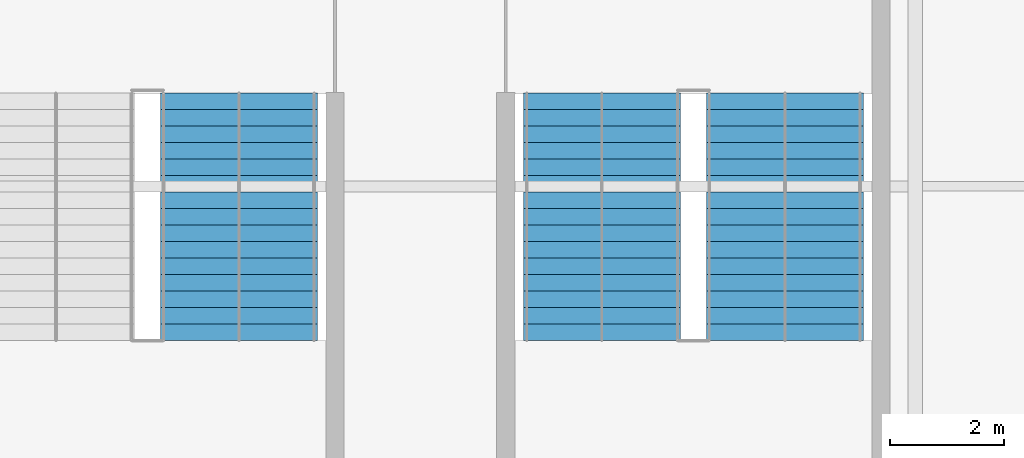
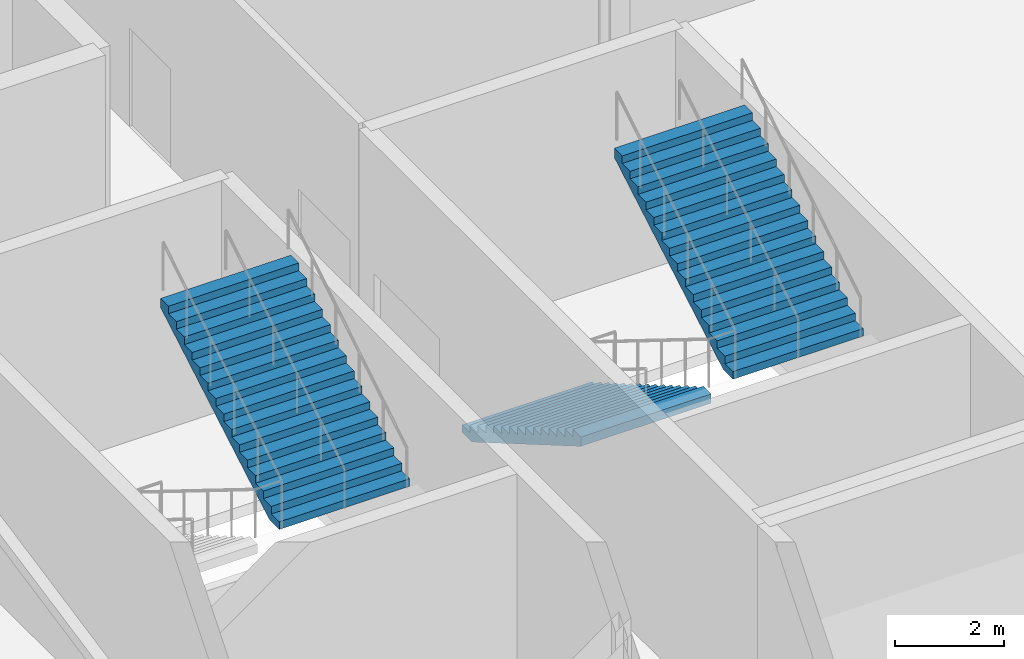
# One storey, part 85 of 113: 3 stair flights, 2 elements without a shape of their own.
"""IFC4 building model written with IfcOpenShell, lengths in metres."""

from ifc_helpers import new_model, si_unit, direction, frame, origin, place, context, subcontext, project, spatial, polygons, material, type_object, element, aggregate, save


model = new_model("IFC4")

# Units and contexts
model_context = context("Model", 3, precision=1e-05, world=origin(), true_north=direction((0.0, 1.0)))
body_context = subcontext(model_context, "Body", "Model", "MODEL_VIEW")
ifc_project = project(units=[si_unit("LENGTHUNIT", "METRE"), si_unit("AREAUNIT", "SQUARE_METRE"), si_unit("VOLUMEUNIT", "CUBIC_METRE"), si_unit("PLANEANGLEUNIT", "RADIAN"), si_unit("MASSUNIT", "GRAM", prefix="KILO")], contexts=[model_context])

# Site, building, storey
site_placement = place(None, origin())
site = spatial("IfcSite", under=ifc_project, at=site_placement, CompositionType="ELEMENT")
building_placement = place(site_placement, origin())
building = spatial("IfcBuilding", under=site, at=building_placement, Name="Kisiwana Market Hall", CompositionType="ELEMENT")
storey_placement = place(building_placement, frame((0.0, 0.0, 6.0)))
storey = spatial("IfcBuildingStorey", under=building, at=storey_placement, Name="L01", CompositionType="ELEMENT", Elevation=6.0)

# Stair, stair flight
ifc_material_1 = material(Name="Concrete C32/40", Category="concrete")
stair_type = type_object("IfcStairType", Name="ST-ESC-5400", PredefinedType="TWO_STRAIGHT_RUN_STAIR", material=ifc_material_1)
stair_1_placement = place(storey_placement, origin())
stair_1 = element("IfcStair", 1, at=stair_1_placement, inside=storey, type_object=stair_type, Name="Escape stair ST-W4-L01", PredefinedType="TWO_STRAIGHT_RUN_STAIR")
ifc_material_2 = material(Name="Concrete C32/40", Category="concrete")
stair_flight_type = type_object("IfcStairFlightType", Name="SF-ESC-5400", PredefinedType="STRAIGHT", material=ifc_material_2)
stair_flight_1_placement = place(storey_placement, frame((15.110107421875, 73.2900390625, 2.699951171875), z_axis=(0.0, 0.0, 1.0), x_axis=(0.0, 1.0, 0.0)))
stair_flight_1 = element("IfcStairFlight", 2, at=stair_flight_1_placement, type_object=stair_flight_type, Name="ST-W4-L01 flight 2", NumberOfRisers=16, NumberOfTreads=15, PredefinedType="STRAIGHT", RiserHeight=0.16875, TreadLength=0.29, context=body_context, shape_type="Tessellation", body=[
    polygons([(0.0, -1.380127, 0.0), (0.0, -0.690125, 0.0), (0.0, -0.000122, 0.0), (0.0, 0.68988, 0.0), (0.0, 1.379883, 0.0), (0.0, -1.380127, 0.168701), (0.0, -0.690125, 0.168701), (0.0, -0.000122, 0.168701), (0.0, 0.68988, 0.168701), (0.0, 1.379883, 0.168701), (0.290039, -1.380127, 0.168701), (0.290039, -0.690125, 0.168701), (0.290039, -0.000122, 0.168701), (0.290039, 0.68988, 0.168701), (0.290039, 1.379883, 0.168701), (0.290039, -1.380127, 0.337402), (0.290039, -0.690125, 0.337402), (0.290039, -0.000122, 0.337402), (0.290039, 0.68988, 0.337402), (0.290039, 1.379883, 0.337402), (0.580078, -1.380127, 0.337402), (0.580078, -0.690125, 0.337402), (0.580078, -0.000122, 0.337402), (0.580078, 0.68988, 0.337402), (0.580078, 1.379883, 0.337402), (0.580078, -1.380127, 0.506348), (0.580078, -0.690125, 0.506348), (0.580078, -0.000122, 0.506348), (0.580078, 0.68988, 0.506348), (0.580078, 1.379883, 0.506348), (0.870117, -1.380127, 0.506348), (0.870117, -0.690125, 0.506348), (0.870117, -0.000122, 0.506348), (0.870117, 0.68988, 0.506348), (0.870117, 1.379883, 0.506348), (0.870117, -1.380127, 0.675049), (0.870117, -0.690125, 0.675049), (0.870117, -0.000122, 0.675049), (0.870117, 0.68988, 0.675049), (0.870117, 1.379883, 0.675049), (1.159912, -1.380127, 0.675049), (1.159912, -0.690125, 0.675049), (1.159912, -0.000122, 0.675049), (1.159912, 0.68988, 0.675049), (1.159912, 1.379883, 0.675049), (1.159912, -1.380127, 0.84375), (1.159912, -0.690125, 0.84375), (1.159912, -0.000122, 0.84375), (1.159912, 0.68988, 0.84375), (1.159912, 1.379883, 0.84375), (1.449951, -1.380127, 0.84375), (1.449951, -0.690125, 0.84375), (1.449951, -0.000122, 0.84375), (1.449951, 0.68988, 0.84375), (1.449951, 1.379883, 0.84375), (1.449951, -1.380127, 1.012451), (1.449951, -0.690125, 1.012451), (1.449951, -0.000122, 1.012451), (1.449951, 0.68988, 1.012451), (1.449951, 1.379883, 1.012451), (1.73999, -1.380127, 1.012451), (1.73999, -0.690125, 1.012451), (1.73999, -0.000122, 1.012451), (1.73999, 0.68988, 1.012451), (1.73999, 1.379883, 1.012451), (1.73999, -1.380127, 1.181152), (1.73999, -0.690125, 1.181152), (1.73999, -0.000122, 1.181152), (1.73999, 0.68988, 1.181152), (1.73999, 1.379883, 1.181152), (2.030029, -1.380127, 1.181152), (2.030029, -0.690125, 1.181152), (2.030029, -0.000122, 1.181152), (2.030029, 0.68988, 1.181152), (2.030029, 1.379883, 1.181152), (2.030029, -1.380127, 1.350098), (2.030029, -0.690125, 1.350098), (2.030029, -0.000122, 1.350098), (2.030029, 0.68988, 1.350098), (2.030029, 1.379883, 1.350098), (2.320068, -1.380127, 1.350098), (2.320068, -0.690125, 1.350098), (2.320068, -0.000122, 1.350098), (2.320068, 0.68988, 1.350098), (2.320068, 1.379883, 1.350098), (2.320068, -1.380127, 1.518799), (2.320068, -0.690125, 1.518799), (2.320068, -0.000122, 1.518799), (2.320068, 0.68988, 1.518799), (2.320068, 1.379883, 1.518799), (2.610107, -1.380127, 1.518799), (2.610107, -0.690125, 1.518799), (2.610107, -0.000122, 1.518799), (2.610107, 0.68988, 1.518799), (2.610107, 1.379883, 1.518799), (2.610107, -1.380127, 1.6875), (2.610107, -0.690125, 1.6875), (2.610107, -0.000122, 1.6875), (2.610107, 0.68988, 1.6875), (2.610107, 1.379883, 1.6875), (2.899902, -1.380127, 1.6875), (2.899902, -0.690125, 1.6875), (2.899902, -0.000122, 1.6875), (2.899902, 0.68988, 1.6875), (2.899902, 1.379883, 1.6875), (2.899902, -1.380127, 1.856201), (2.899902, -0.690125, 1.856201), (2.899902, -0.000122, 1.856201), (2.899902, 0.68988, 1.856201), (2.899902, 1.379883, 1.856201), (3.189941, -1.380127, 1.856201), (3.189941, -0.690125, 1.856201), (3.189941, -0.000122, 1.856201), (3.189941, 0.68988, 1.856201), (3.189941, 1.379883, 1.856201), (3.189941, -1.380127, 2.024902), (3.189941, -0.690125, 2.024902), (3.189941, -0.000122, 2.024902), (3.189941, 0.68988, 2.024902), (3.189941, 1.379883, 2.024902), (3.47998, -1.380127, 2.024902), (3.47998, -0.690125, 2.024902), (3.47998, -0.000122, 2.024902), (3.47998, 0.68988, 2.024902), (3.47998, 1.379883, 2.024902), (3.47998, -1.380127, 2.193848), (3.47998, -0.690125, 2.193848), (3.47998, -0.000122, 2.193848), (3.47998, 0.68988, 2.193848), (3.47998, 1.379883, 2.193848), (3.77002, -1.380127, 2.193848), (3.77002, -0.690125, 2.193848), (3.77002, -0.000122, 2.193848), (3.77002, 0.68988, 2.193848), (3.77002, 1.379883, 2.193848), (3.77002, -1.380127, 2.362549), (3.77002, -0.690125, 2.362549), (3.77002, -0.000122, 2.362549), (3.77002, 0.68988, 2.362549), (3.77002, 1.379883, 2.362549), (4.060059, -1.380127, 2.362549), (4.060059, -0.690125, 2.362549), (4.060059, -0.000122, 2.362549), (4.060059, 0.68988, 2.362549), (4.060059, 1.379883, 2.362549), (4.060059, -1.380127, 2.53125), (4.060059, -0.690125, 2.53125), (4.060059, -0.000122, 2.53125), (4.060059, 0.68988, 2.53125), (4.060059, 1.379883, 2.53125), (4.350098, -1.380127, 2.53125), (4.350098, -0.690125, 2.53125), (4.350098, -0.000122, 2.53125), (4.350098, 0.68988, 2.53125), (4.350098, 1.379883, 2.53125), (4.350098, -1.380127, 2.322998), (4.350098, -0.690125, 2.322998), (4.350098, -0.000122, 2.322998), (4.350098, 0.68988, 2.322998), (4.350098, 1.379883, 2.322998), (0.357666, -1.380127, 0.0), (0.357666, -0.690125, 0.0), (0.357666, -0.000122, 0.0), (0.357666, 0.68988, 0.0), (0.357666, 1.379883, 0.0)], [[[1, 6, 7, 2]], [[2, 7, 8, 3]], [[3, 8, 9, 4]], [[4, 9, 10, 5]], [[6, 11, 12, 7]], [[7, 12, 13, 8]], [[8, 13, 14, 9]], [[9, 14, 15, 10]], [[11, 16, 17, 12]], [[12, 17, 18, 13]], [[13, 18, 19, 14]], [[14, 19, 20, 15]], [[16, 21, 22, 17]], [[17, 22, 23, 18]], [[18, 23, 24, 19]], [[19, 24, 25, 20]], [[21, 26, 27, 22]], [[22, 27, 28, 23]], [[23, 28, 29, 24]], [[24, 29, 30, 25]], [[26, 31, 32, 27]], [[27, 32, 33, 28]], [[28, 33, 34, 29]], [[29, 34, 35, 30]], [[31, 36, 37, 32]], [[32, 37, 38, 33]], [[33, 38, 39, 34]], [[34, 39, 40, 35]], [[36, 41, 42, 37]], [[37, 42, 43, 38]], [[38, 43, 44, 39]], [[39, 44, 45, 40]], [[41, 46, 47, 42]], [[42, 47, 48, 43]], [[43, 48, 49, 44]], [[44, 49, 50, 45]], [[46, 51, 52, 47]], [[47, 52, 53, 48]], [[48, 53, 54, 49]], [[49, 54, 55, 50]], [[51, 56, 57, 52]], [[52, 57, 58, 53]], [[53, 58, 59, 54]], [[54, 59, 60, 55]], [[56, 61, 62, 57]], [[57, 62, 63, 58]], [[58, 63, 64, 59]], [[59, 64, 65, 60]], [[61, 66, 67, 62]], [[62, 67, 68, 63]], [[63, 68, 69, 64]], [[64, 69, 70, 65]], [[66, 71, 72, 67]], [[67, 72, 73, 68]], [[68, 73, 74, 69]], [[69, 74, 75, 70]], [[71, 76, 77, 72]], [[72, 77, 78, 73]], [[73, 78, 79, 74]], [[74, 79, 80, 75]], [[76, 81, 82, 77]], [[77, 82, 83, 78]], [[78, 83, 84, 79]], [[79, 84, 85, 80]], [[81, 86, 87, 82]], [[82, 87, 88, 83]], [[83, 88, 89, 84]], [[84, 89, 90, 85]], [[86, 91, 92, 87]], [[87, 92, 93, 88]], [[88, 93, 94, 89]], [[89, 94, 95, 90]], [[91, 96, 97, 92]], [[92, 97, 98, 93]], [[93, 98, 99, 94]], [[94, 99, 100, 95]], [[96, 101, 102, 97]], [[97, 102, 103, 98]], [[98, 103, 104, 99]], [[99, 104, 105, 100]], [[101, 106, 107, 102]], [[102, 107, 108, 103]], [[103, 108, 109, 104]], [[104, 109, 110, 105]], [[106, 111, 112, 107]], [[107, 112, 113, 108]], [[108, 113, 114, 109]], [[109, 114, 115, 110]], [[111, 116, 117, 112]], [[112, 117, 118, 113]], [[113, 118, 119, 114]], [[114, 119, 120, 115]], [[116, 121, 122, 117]], [[117, 122, 123, 118]], [[118, 123, 124, 119]], [[119, 124, 125, 120]], [[121, 126, 127, 122]], [[122, 127, 128, 123]], [[123, 128, 129, 124]], [[124, 129, 130, 125]], [[126, 131, 132, 127]], [[127, 132, 133, 128]], [[128, 133, 134, 129]], [[129, 134, 135, 130]], [[131, 136, 137, 132]], [[132, 137, 138, 133]], [[133, 138, 139, 134]], [[134, 139, 140, 135]], [[136, 141, 142, 137]], [[137, 142, 143, 138]], [[138, 143, 144, 139]], [[139, 144, 145, 140]], [[141, 146, 147, 142]], [[142, 147, 148, 143]], [[143, 148, 149, 144]], [[144, 149, 150, 145]], [[146, 151, 152, 147]], [[147, 152, 153, 148]], [[148, 153, 154, 149]], [[149, 154, 155, 150]], [[151, 156, 157, 152]], [[152, 157, 158, 153]], [[153, 158, 159, 154]], [[154, 159, 160, 155]], [[156, 161, 162, 157]], [[157, 162, 163, 158]], [[158, 163, 164, 159]], [[159, 164, 165, 160]], [[161, 1, 2, 162]], [[162, 2, 3, 163]], [[163, 3, 4, 164]], [[164, 4, 5, 165]], [[161, 156, 151, 146, 141, 136, 131, 126, 121, 116, 111, 106, 101, 96, 91, 86, 81, 76, 71, 66, 61, 56, 51, 46, 41, 36, 31, 26, 21, 16, 11, 6, 1]], [[5, 10, 15, 20, 25, 30, 35, 40, 45, 50, 55, 60, 65, 70, 75, 80, 85, 90, 95, 100, 105, 110, 115, 120, 125, 130, 135, 140, 145, 150, 155, 160, 165]]], closed=True),
])
aggregate(stair_1, [stair_flight_1])

# Stair, stair flights
stair_2_placement = place(storey_placement, origin())
stair_2 = element("IfcStair", 3, at=stair_2_placement, inside=storey, type_object=stair_type, Name="Escape stair ST-W8-L01", PredefinedType="TWO_STRAIGHT_RUN_STAIR")
stair_flight_2_placement = place(storey_placement, frame((21.489990234375, 77.639892578125, 0.0), z_axis=(0.0, 0.0, 1.0), x_axis=(0.0, -1.0, 0.0)))
stair_flight_2 = element("IfcStairFlight", 4, at=stair_flight_2_placement, type_object=stair_flight_type, Name="ST-W8-L01 flight 1", NumberOfRisers=16, NumberOfTreads=15, PredefinedType="STRAIGHT", RiserHeight=0.16875, TreadLength=0.29, context=body_context, shape_type="Tessellation", body=[
    polygons([(0.0, -1.380127, 0.0), (0.0, -0.690125, 0.0), (0.0, -0.000122, 0.0), (0.0, 0.68988, 0.0), (0.0, 1.379883, 0.0), (0.0, -1.380127, 0.168701), (0.0, -0.690125, 0.168701), (0.0, -0.000122, 0.168701), (0.0, 0.68988, 0.168701), (0.0, 1.379883, 0.168701), (0.290039, -1.380127, 0.168701), (0.290039, -0.690125, 0.168701), (0.290039, -0.000122, 0.168701), (0.290039, 0.68988, 0.168701), (0.290039, 1.379883, 0.168701), (0.290039, -1.380127, 0.337402), (0.290039, -0.690125, 0.337402), (0.290039, -0.000122, 0.337402), (0.290039, 0.68988, 0.337402), (0.290039, 1.379883, 0.337402), (0.580078, -1.380127, 0.337402), (0.580078, -0.690125, 0.337402), (0.580078, -0.000122, 0.337402), (0.580078, 0.68988, 0.337402), (0.580078, 1.379883, 0.337402), (0.580078, -1.380127, 0.506348), (0.580078, -0.690125, 0.506348), (0.580078, -0.000122, 0.506348), (0.580078, 0.68988, 0.506348), (0.580078, 1.379883, 0.506348), (0.870117, -1.380127, 0.506348), (0.870117, -0.690125, 0.506348), (0.870117, -0.000122, 0.506348), (0.870117, 0.68988, 0.506348), (0.870117, 1.379883, 0.506348), (0.870117, -1.380127, 0.675049), (0.870117, -0.690125, 0.675049), (0.870117, -0.000122, 0.675049), (0.870117, 0.68988, 0.675049), (0.870117, 1.379883, 0.675049), (1.159912, -1.380127, 0.675049), (1.159912, -0.690125, 0.675049), (1.159912, -0.000122, 0.675049), (1.159912, 0.68988, 0.675049), (1.159912, 1.379883, 0.675049), (1.159912, -1.380127, 0.84375), (1.159912, -0.690125, 0.84375), (1.159912, -0.000122, 0.84375), (1.159912, 0.68988, 0.84375), (1.159912, 1.379883, 0.84375), (1.449951, -1.380127, 0.84375), (1.449951, -0.690125, 0.84375), (1.449951, -0.000122, 0.84375), (1.449951, 0.68988, 0.84375), (1.449951, 1.379883, 0.84375), (1.449951, -1.380127, 1.012451), (1.449951, -0.690125, 1.012451), (1.449951, -0.000122, 1.012451), (1.449951, 0.68988, 1.012451), (1.449951, 1.379883, 1.012451), (1.73999, -1.380127, 1.012451), (1.73999, -0.690125, 1.012451), (1.73999, -0.000122, 1.012451), (1.73999, 0.68988, 1.012451), (1.73999, 1.379883, 1.012451), (1.73999, -1.380127, 1.181152), (1.73999, -0.690125, 1.181152), (1.73999, -0.000122, 1.181152), (1.73999, 0.68988, 1.181152), (1.73999, 1.379883, 1.181152), (2.030029, -1.380127, 1.181152), (2.030029, -0.690125, 1.181152), (2.030029, -0.000122, 1.181152), (2.030029, 0.68988, 1.181152), (2.030029, 1.379883, 1.181152), (2.030029, -1.380127, 1.350098), (2.030029, -0.690125, 1.350098), (2.030029, -0.000122, 1.350098), (2.030029, 0.68988, 1.350098), (2.030029, 1.379883, 1.350098), (2.320068, -1.380127, 1.350098), (2.320068, -0.690125, 1.350098), (2.320068, -0.000122, 1.350098), (2.320068, 0.68988, 1.350098), (2.320068, 1.379883, 1.350098), (2.320068, -1.380127, 1.518799), (2.320068, -0.690125, 1.518799), (2.320068, -0.000122, 1.518799), (2.320068, 0.68988, 1.518799), (2.320068, 1.379883, 1.518799), (2.610107, -1.380127, 1.518799), (2.610107, -0.690125, 1.518799), (2.610107, -0.000122, 1.518799), (2.610107, 0.68988, 1.518799), (2.610107, 1.379883, 1.518799), (2.610107, -1.380127, 1.6875), (2.610107, -0.690125, 1.6875), (2.610107, -0.000122, 1.6875), (2.610107, 0.68988, 1.6875), (2.610107, 1.379883, 1.6875), (2.899902, -1.380127, 1.6875), (2.899902, -0.690125, 1.6875), (2.899902, -0.000122, 1.6875), (2.899902, 0.68988, 1.6875), (2.899902, 1.379883, 1.6875), (2.899902, -1.380127, 1.856201), (2.899902, -0.690125, 1.856201), (2.899902, -0.000122, 1.856201), (2.899902, 0.68988, 1.856201), (2.899902, 1.379883, 1.856201), (3.189941, -1.380127, 1.856201), (3.189941, -0.690125, 1.856201), (3.189941, -0.000122, 1.856201), (3.189941, 0.68988, 1.856201), (3.189941, 1.379883, 1.856201), (3.189941, -1.380127, 2.024902), (3.189941, -0.690125, 2.024902), (3.189941, -0.000122, 2.024902), (3.189941, 0.68988, 2.024902), (3.189941, 1.379883, 2.024902), (3.47998, -1.380127, 2.024902), (3.47998, -0.690125, 2.024902), (3.47998, -0.000122, 2.024902), (3.47998, 0.68988, 2.024902), (3.47998, 1.379883, 2.024902), (3.47998, -1.380127, 2.193848), (3.47998, -0.690125, 2.193848), (3.47998, -0.000122, 2.193848), (3.47998, 0.68988, 2.193848), (3.47998, 1.379883, 2.193848), (3.77002, -1.380127, 2.193848), (3.77002, -0.690125, 2.193848), (3.77002, -0.000122, 2.193848), (3.77002, 0.68988, 2.193848), (3.77002, 1.379883, 2.193848), (3.77002, -1.380127, 2.362549), (3.77002, -0.690125, 2.362549), (3.77002, -0.000122, 2.362549), (3.77002, 0.68988, 2.362549), (3.77002, 1.379883, 2.362549), (4.060059, -1.380127, 2.362549), (4.060059, -0.690125, 2.362549), (4.060059, -0.000122, 2.362549), (4.060059, 0.68988, 2.362549), (4.060059, 1.379883, 2.362549), (4.060059, -1.380127, 2.53125), (4.060059, -0.690125, 2.53125), (4.060059, -0.000122, 2.53125), (4.060059, 0.68988, 2.53125), (4.060059, 1.379883, 2.53125), (4.350098, -1.380127, 2.53125), (4.350098, -0.690125, 2.53125), (4.350098, -0.000122, 2.53125), (4.350098, 0.68988, 2.53125), (4.350098, 1.379883, 2.53125), (4.350098, -1.380127, 2.322998), (4.350098, -0.690125, 2.322998), (4.350098, -0.000122, 2.322998), (4.350098, 0.68988, 2.322998), (4.350098, 1.379883, 2.322998), (0.357666, -1.380127, 0.0), (0.357666, -0.690125, 0.0), (0.357666, -0.000122, 0.0), (0.357666, 0.68988, 0.0), (0.357666, 1.379883, 0.0)], [[[1, 6, 7, 2]], [[2, 7, 8, 3]], [[3, 8, 9, 4]], [[4, 9, 10, 5]], [[6, 11, 12, 7]], [[7, 12, 13, 8]], [[8, 13, 14, 9]], [[9, 14, 15, 10]], [[11, 16, 17, 12]], [[12, 17, 18, 13]], [[13, 18, 19, 14]], [[14, 19, 20, 15]], [[16, 21, 22, 17]], [[17, 22, 23, 18]], [[18, 23, 24, 19]], [[19, 24, 25, 20]], [[21, 26, 27, 22]], [[22, 27, 28, 23]], [[23, 28, 29, 24]], [[24, 29, 30, 25]], [[26, 31, 32, 27]], [[27, 32, 33, 28]], [[28, 33, 34, 29]], [[29, 34, 35, 30]], [[31, 36, 37, 32]], [[32, 37, 38, 33]], [[33, 38, 39, 34]], [[34, 39, 40, 35]], [[36, 41, 42, 37]], [[37, 42, 43, 38]], [[38, 43, 44, 39]], [[39, 44, 45, 40]], [[41, 46, 47, 42]], [[42, 47, 48, 43]], [[43, 48, 49, 44]], [[44, 49, 50, 45]], [[46, 51, 52, 47]], [[47, 52, 53, 48]], [[48, 53, 54, 49]], [[49, 54, 55, 50]], [[51, 56, 57, 52]], [[52, 57, 58, 53]], [[53, 58, 59, 54]], [[54, 59, 60, 55]], [[56, 61, 62, 57]], [[57, 62, 63, 58]], [[58, 63, 64, 59]], [[59, 64, 65, 60]], [[61, 66, 67, 62]], [[62, 67, 68, 63]], [[63, 68, 69, 64]], [[64, 69, 70, 65]], [[66, 71, 72, 67]], [[67, 72, 73, 68]], [[68, 73, 74, 69]], [[69, 74, 75, 70]], [[71, 76, 77, 72]], [[72, 77, 78, 73]], [[73, 78, 79, 74]], [[74, 79, 80, 75]], [[76, 81, 82, 77]], [[77, 82, 83, 78]], [[78, 83, 84, 79]], [[79, 84, 85, 80]], [[81, 86, 87, 82]], [[82, 87, 88, 83]], [[83, 88, 89, 84]], [[84, 89, 90, 85]], [[86, 91, 92, 87]], [[87, 92, 93, 88]], [[88, 93, 94, 89]], [[89, 94, 95, 90]], [[91, 96, 97, 92]], [[92, 97, 98, 93]], [[93, 98, 99, 94]], [[94, 99, 100, 95]], [[96, 101, 102, 97]], [[97, 102, 103, 98]], [[98, 103, 104, 99]], [[99, 104, 105, 100]], [[101, 106, 107, 102]], [[102, 107, 108, 103]], [[103, 108, 109, 104]], [[104, 109, 110, 105]], [[106, 111, 112, 107]], [[107, 112, 113, 108]], [[108, 113, 114, 109]], [[109, 114, 115, 110]], [[111, 116, 117, 112]], [[112, 117, 118, 113]], [[113, 118, 119, 114]], [[114, 119, 120, 115]], [[116, 121, 122, 117]], [[117, 122, 123, 118]], [[118, 123, 124, 119]], [[119, 124, 125, 120]], [[121, 126, 127, 122]], [[122, 127, 128, 123]], [[123, 128, 129, 124]], [[124, 129, 130, 125]], [[126, 131, 132, 127]], [[127, 132, 133, 128]], [[128, 133, 134, 129]], [[129, 134, 135, 130]], [[131, 136, 137, 132]], [[132, 137, 138, 133]], [[133, 138, 139, 134]], [[134, 139, 140, 135]], [[136, 141, 142, 137]], [[137, 142, 143, 138]], [[138, 143, 144, 139]], [[139, 144, 145, 140]], [[141, 146, 147, 142]], [[142, 147, 148, 143]], [[143, 148, 149, 144]], [[144, 149, 150, 145]], [[146, 151, 152, 147]], [[147, 152, 153, 148]], [[148, 153, 154, 149]], [[149, 154, 155, 150]], [[151, 156, 157, 152]], [[152, 157, 158, 153]], [[153, 158, 159, 154]], [[154, 159, 160, 155]], [[156, 161, 162, 157]], [[157, 162, 163, 158]], [[158, 163, 164, 159]], [[159, 164, 165, 160]], [[161, 1, 2, 162]], [[162, 2, 3, 163]], [[163, 3, 4, 164]], [[164, 4, 5, 165]], [[161, 156, 151, 146, 141, 136, 131, 126, 121, 116, 111, 106, 101, 96, 91, 86, 81, 76, 71, 66, 61, 56, 51, 46, 41, 36, 31, 26, 21, 16, 11, 6, 1]], [[5, 10, 15, 20, 25, 30, 35, 40, 45, 50, 55, 60, 65, 70, 75, 80, 85, 90, 95, 100, 105, 110, 115, 120, 125, 130, 135, 140, 145, 150, 155, 160, 165]]], closed=True),
])
stair_flight_3_placement = place(storey_placement, frame((24.7099609375, 73.2900390625, 2.699951171875), z_axis=(0.0, 0.0, 1.0), x_axis=(0.0, 1.0, 0.0)))
stair_flight_3 = element("IfcStairFlight", 5, at=stair_flight_3_placement, type_object=stair_flight_type, Name="ST-W8-L01 flight 2", NumberOfRisers=16, NumberOfTreads=15, PredefinedType="STRAIGHT", RiserHeight=0.16875, TreadLength=0.29, context=body_context, shape_type="Tessellation", body=[
    polygons([(0.0, -1.380127, 0.0), (0.0, -0.690125, 0.0), (0.0, -0.000122, 0.0), (0.0, 0.68988, 0.0), (0.0, 1.379883, 0.0), (0.0, -1.380127, 0.168701), (0.0, -0.690125, 0.168701), (0.0, -0.000122, 0.168701), (0.0, 0.68988, 0.168701), (0.0, 1.379883, 0.168701), (0.290039, -1.380127, 0.168701), (0.290039, -0.690125, 0.168701), (0.290039, -0.000122, 0.168701), (0.290039, 0.68988, 0.168701), (0.290039, 1.379883, 0.168701), (0.290039, -1.380127, 0.337402), (0.290039, -0.690125, 0.337402), (0.290039, -0.000122, 0.337402), (0.290039, 0.68988, 0.337402), (0.290039, 1.379883, 0.337402), (0.580078, -1.380127, 0.337402), (0.580078, -0.690125, 0.337402), (0.580078, -0.000122, 0.337402), (0.580078, 0.68988, 0.337402), (0.580078, 1.379883, 0.337402), (0.580078, -1.380127, 0.506348), (0.580078, -0.690125, 0.506348), (0.580078, -0.000122, 0.506348), (0.580078, 0.68988, 0.506348), (0.580078, 1.379883, 0.506348), (0.870117, -1.380127, 0.506348), (0.870117, -0.690125, 0.506348), (0.870117, -0.000122, 0.506348), (0.870117, 0.68988, 0.506348), (0.870117, 1.379883, 0.506348), (0.870117, -1.380127, 0.675049), (0.870117, -0.690125, 0.675049), (0.870117, -0.000122, 0.675049), (0.870117, 0.68988, 0.675049), (0.870117, 1.379883, 0.675049), (1.159912, -1.380127, 0.675049), (1.159912, -0.690125, 0.675049), (1.159912, -0.000122, 0.675049), (1.159912, 0.68988, 0.675049), (1.159912, 1.379883, 0.675049), (1.159912, -1.380127, 0.84375), (1.159912, -0.690125, 0.84375), (1.159912, -0.000122, 0.84375), (1.159912, 0.68988, 0.84375), (1.159912, 1.379883, 0.84375), (1.449951, -1.380127, 0.84375), (1.449951, -0.690125, 0.84375), (1.449951, -0.000122, 0.84375), (1.449951, 0.68988, 0.84375), (1.449951, 1.379883, 0.84375), (1.449951, -1.380127, 1.012451), (1.449951, -0.690125, 1.012451), (1.449951, -0.000122, 1.012451), (1.449951, 0.68988, 1.012451), (1.449951, 1.379883, 1.012451), (1.73999, -1.380127, 1.012451), (1.73999, -0.690125, 1.012451), (1.73999, -0.000122, 1.012451), (1.73999, 0.68988, 1.012451), (1.73999, 1.379883, 1.012451), (1.73999, -1.380127, 1.181152), (1.73999, -0.690125, 1.181152), (1.73999, -0.000122, 1.181152), (1.73999, 0.68988, 1.181152), (1.73999, 1.379883, 1.181152), (2.030029, -1.380127, 1.181152), (2.030029, -0.690125, 1.181152), (2.030029, -0.000122, 1.181152), (2.030029, 0.68988, 1.181152), (2.030029, 1.379883, 1.181152), (2.030029, -1.380127, 1.350098), (2.030029, -0.690125, 1.350098), (2.030029, -0.000122, 1.350098), (2.030029, 0.68988, 1.350098), (2.030029, 1.379883, 1.350098), (2.320068, -1.380127, 1.350098), (2.320068, -0.690125, 1.350098), (2.320068, -0.000122, 1.350098), (2.320068, 0.68988, 1.350098), (2.320068, 1.379883, 1.350098), (2.320068, -1.380127, 1.518799), (2.320068, -0.690125, 1.518799), (2.320068, -0.000122, 1.518799), (2.320068, 0.68988, 1.518799), (2.320068, 1.379883, 1.518799), (2.610107, -1.380127, 1.518799), (2.610107, -0.690125, 1.518799), (2.610107, -0.000122, 1.518799), (2.610107, 0.68988, 1.518799), (2.610107, 1.379883, 1.518799), (2.610107, -1.380127, 1.6875), (2.610107, -0.690125, 1.6875), (2.610107, -0.000122, 1.6875), (2.610107, 0.68988, 1.6875), (2.610107, 1.379883, 1.6875), (2.899902, -1.380127, 1.6875), (2.899902, -0.690125, 1.6875), (2.899902, -0.000122, 1.6875), (2.899902, 0.68988, 1.6875), (2.899902, 1.379883, 1.6875), (2.899902, -1.380127, 1.856201), (2.899902, -0.690125, 1.856201), (2.899902, -0.000122, 1.856201), (2.899902, 0.68988, 1.856201), (2.899902, 1.379883, 1.856201), (3.189941, -1.380127, 1.856201), (3.189941, -0.690125, 1.856201), (3.189941, -0.000122, 1.856201), (3.189941, 0.68988, 1.856201), (3.189941, 1.379883, 1.856201), (3.189941, -1.380127, 2.024902), (3.189941, -0.690125, 2.024902), (3.189941, -0.000122, 2.024902), (3.189941, 0.68988, 2.024902), (3.189941, 1.379883, 2.024902), (3.47998, -1.380127, 2.024902), (3.47998, -0.690125, 2.024902), (3.47998, -0.000122, 2.024902), (3.47998, 0.68988, 2.024902), (3.47998, 1.379883, 2.024902), (3.47998, -1.380127, 2.193848), (3.47998, -0.690125, 2.193848), (3.47998, -0.000122, 2.193848), (3.47998, 0.68988, 2.193848), (3.47998, 1.379883, 2.193848), (3.77002, -1.380127, 2.193848), (3.77002, -0.690125, 2.193848), (3.77002, -0.000122, 2.193848), (3.77002, 0.68988, 2.193848), (3.77002, 1.379883, 2.193848), (3.77002, -1.380127, 2.362549), (3.77002, -0.690125, 2.362549), (3.77002, -0.000122, 2.362549), (3.77002, 0.68988, 2.362549), (3.77002, 1.379883, 2.362549), (4.060059, -1.380127, 2.362549), (4.060059, -0.690125, 2.362549), (4.060059, -0.000122, 2.362549), (4.060059, 0.68988, 2.362549), (4.060059, 1.379883, 2.362549), (4.060059, -1.380127, 2.53125), (4.060059, -0.690125, 2.53125), (4.060059, -0.000122, 2.53125), (4.060059, 0.68988, 2.53125), (4.060059, 1.379883, 2.53125), (4.350098, -1.380127, 2.53125), (4.350098, -0.690125, 2.53125), (4.350098, -0.000122, 2.53125), (4.350098, 0.68988, 2.53125), (4.350098, 1.379883, 2.53125), (4.350098, -1.380127, 2.322998), (4.350098, -0.690125, 2.322998), (4.350098, -0.000122, 2.322998), (4.350098, 0.68988, 2.322998), (4.350098, 1.379883, 2.322998), (0.357666, -1.380127, 0.0), (0.357666, -0.690125, 0.0), (0.357666, -0.000122, 0.0), (0.357666, 0.68988, 0.0), (0.357666, 1.379883, 0.0)], [[[1, 6, 7, 2]], [[2, 7, 8, 3]], [[3, 8, 9, 4]], [[4, 9, 10, 5]], [[6, 11, 12, 7]], [[7, 12, 13, 8]], [[8, 13, 14, 9]], [[9, 14, 15, 10]], [[11, 16, 17, 12]], [[12, 17, 18, 13]], [[13, 18, 19, 14]], [[14, 19, 20, 15]], [[16, 21, 22, 17]], [[17, 22, 23, 18]], [[18, 23, 24, 19]], [[19, 24, 25, 20]], [[21, 26, 27, 22]], [[22, 27, 28, 23]], [[23, 28, 29, 24]], [[24, 29, 30, 25]], [[26, 31, 32, 27]], [[27, 32, 33, 28]], [[28, 33, 34, 29]], [[29, 34, 35, 30]], [[31, 36, 37, 32]], [[32, 37, 38, 33]], [[33, 38, 39, 34]], [[34, 39, 40, 35]], [[36, 41, 42, 37]], [[37, 42, 43, 38]], [[38, 43, 44, 39]], [[39, 44, 45, 40]], [[41, 46, 47, 42]], [[42, 47, 48, 43]], [[43, 48, 49, 44]], [[44, 49, 50, 45]], [[46, 51, 52, 47]], [[47, 52, 53, 48]], [[48, 53, 54, 49]], [[49, 54, 55, 50]], [[51, 56, 57, 52]], [[52, 57, 58, 53]], [[53, 58, 59, 54]], [[54, 59, 60, 55]], [[56, 61, 62, 57]], [[57, 62, 63, 58]], [[58, 63, 64, 59]], [[59, 64, 65, 60]], [[61, 66, 67, 62]], [[62, 67, 68, 63]], [[63, 68, 69, 64]], [[64, 69, 70, 65]], [[66, 71, 72, 67]], [[67, 72, 73, 68]], [[68, 73, 74, 69]], [[69, 74, 75, 70]], [[71, 76, 77, 72]], [[72, 77, 78, 73]], [[73, 78, 79, 74]], [[74, 79, 80, 75]], [[76, 81, 82, 77]], [[77, 82, 83, 78]], [[78, 83, 84, 79]], [[79, 84, 85, 80]], [[81, 86, 87, 82]], [[82, 87, 88, 83]], [[83, 88, 89, 84]], [[84, 89, 90, 85]], [[86, 91, 92, 87]], [[87, 92, 93, 88]], [[88, 93, 94, 89]], [[89, 94, 95, 90]], [[91, 96, 97, 92]], [[92, 97, 98, 93]], [[93, 98, 99, 94]], [[94, 99, 100, 95]], [[96, 101, 102, 97]], [[97, 102, 103, 98]], [[98, 103, 104, 99]], [[99, 104, 105, 100]], [[101, 106, 107, 102]], [[102, 107, 108, 103]], [[103, 108, 109, 104]], [[104, 109, 110, 105]], [[106, 111, 112, 107]], [[107, 112, 113, 108]], [[108, 113, 114, 109]], [[109, 114, 115, 110]], [[111, 116, 117, 112]], [[112, 117, 118, 113]], [[113, 118, 119, 114]], [[114, 119, 120, 115]], [[116, 121, 122, 117]], [[117, 122, 123, 118]], [[118, 123, 124, 119]], [[119, 124, 125, 120]], [[121, 126, 127, 122]], [[122, 127, 128, 123]], [[123, 128, 129, 124]], [[124, 129, 130, 125]], [[126, 131, 132, 127]], [[127, 132, 133, 128]], [[128, 133, 134, 129]], [[129, 134, 135, 130]], [[131, 136, 137, 132]], [[132, 137, 138, 133]], [[133, 138, 139, 134]], [[134, 139, 140, 135]], [[136, 141, 142, 137]], [[137, 142, 143, 138]], [[138, 143, 144, 139]], [[139, 144, 145, 140]], [[141, 146, 147, 142]], [[142, 147, 148, 143]], [[143, 148, 149, 144]], [[144, 149, 150, 145]], [[146, 151, 152, 147]], [[147, 152, 153, 148]], [[148, 153, 154, 149]], [[149, 154, 155, 150]], [[151, 156, 157, 152]], [[152, 157, 158, 153]], [[153, 158, 159, 154]], [[154, 159, 160, 155]], [[156, 161, 162, 157]], [[157, 162, 163, 158]], [[158, 163, 164, 159]], [[159, 164, 165, 160]], [[161, 1, 2, 162]], [[162, 2, 3, 163]], [[163, 3, 4, 164]], [[164, 4, 5, 165]], [[161, 156, 151, 146, 141, 136, 131, 126, 121, 116, 111, 106, 101, 96, 91, 86, 81, 76, 71, 66, 61, 56, 51, 46, 41, 36, 31, 26, 21, 16, 11, 6, 1]], [[5, 10, 15, 20, 25, 30, 35, 40, 45, 50, 55, 60, 65, 70, 75, 80, 85, 90, 95, 100, 105, 110, 115, 120, 125, 130, 135, 140, 145, 150, 155, 160, 165]]], closed=True),
])
aggregate(stair_2, [stair_flight_2, stair_flight_3])

save(model, "model.ifc")
